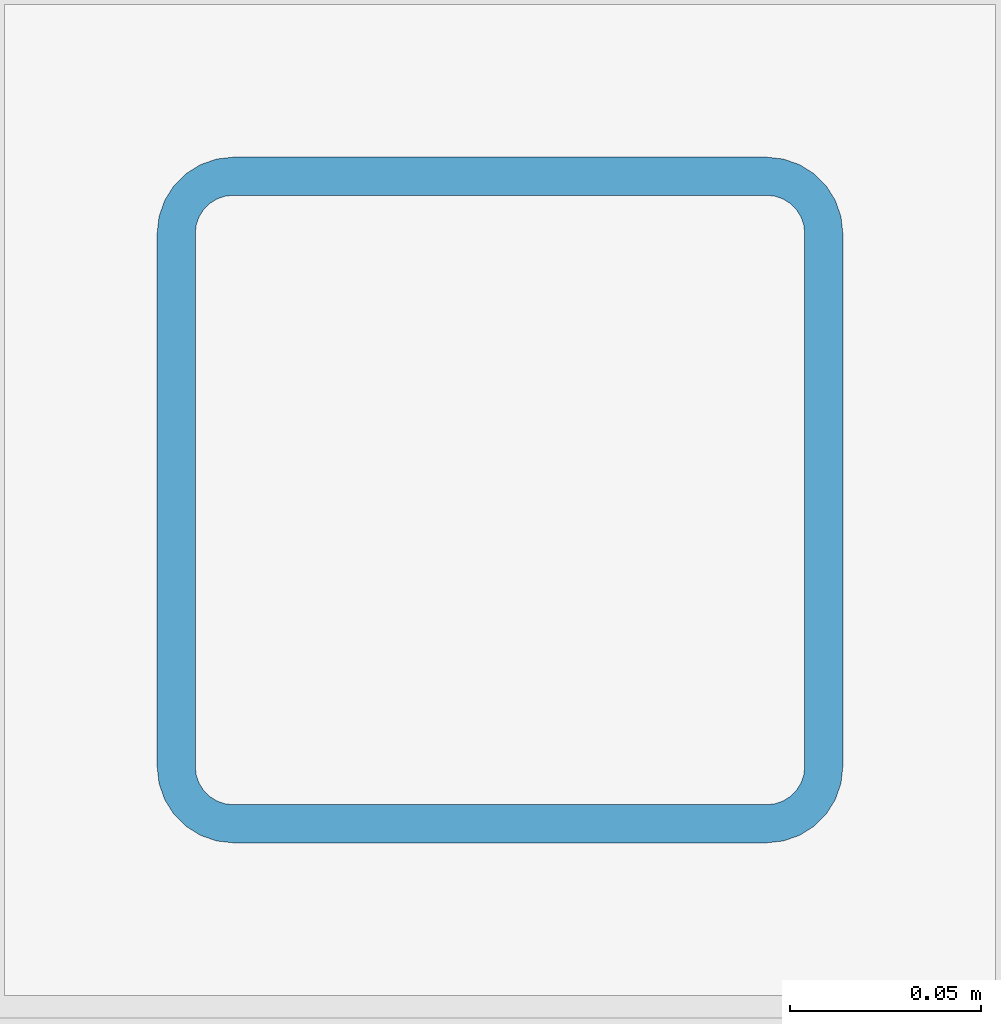
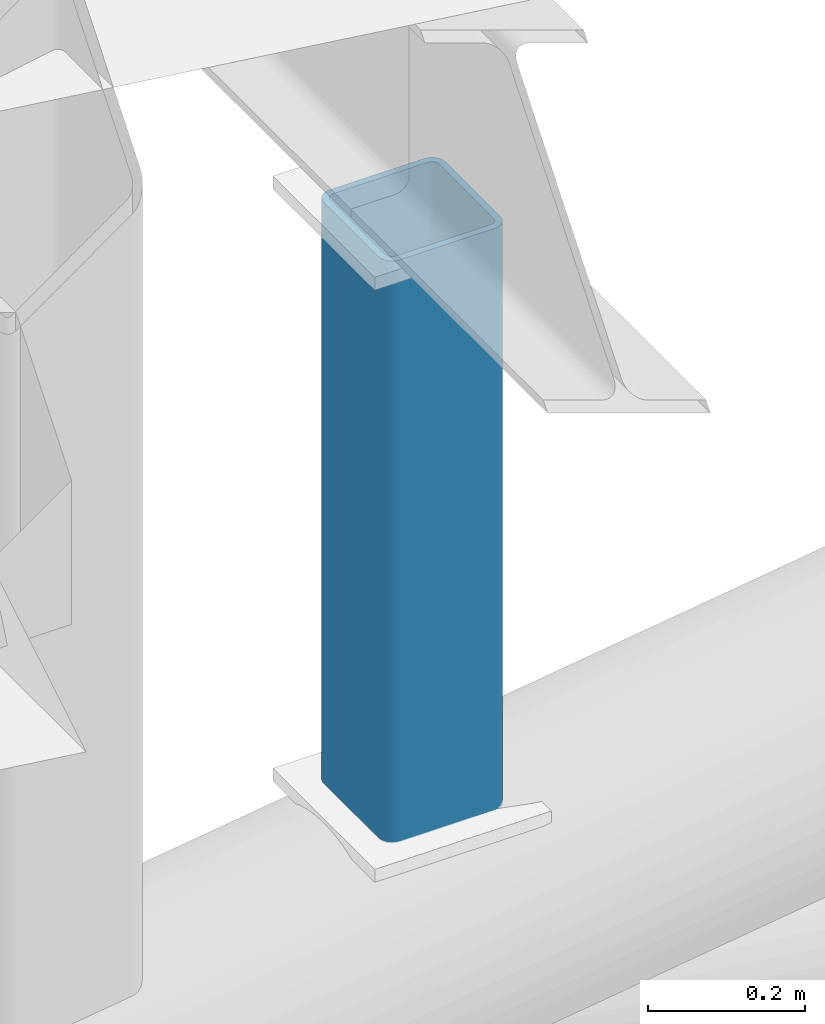
# One storey, part 66 of 117: 1 member.
"""IFC4 building model written with IfcOpenShell, lengths in metres."""

import ifcopenshell
import ifcopenshell.guid

model = None  # the IFC model being written
_history = None  # IfcOwnerHistory: only IFC2X3 demands one
_inside = {}  # id of a spatial element -> (the spatial element, [elements in it])
_under = {}  # id of a project, library or spatial element -> (it, [spatial elements below it])
_declared = {}  # id of a project -> (the project, [libraries it declares])
_typed = {}  # id of a type object -> (the type object, [elements of that type])
_made_of = {}  # id of a material, layer set ... -> (it, [elements and type objects made of it])


def new_model(schema):
    """Start an empty IFC model of exactly this schema.

    Asked for "IFC4X3", IfcOpenShell would pick the latest addendum, in which some entities
    have other attributes; the version numbers below select the first issue.
    IFC2X3 requires an IfcOwnerHistory on every rooted entity: one is made here for all.
    """
    global model, _history
    if schema == "IFC4X3":
        model = ifcopenshell.file(schema_version=(4, 3, 0, 0))
    else:
        model = ifcopenshell.file(schema=schema)
    _inside.clear()
    _under.clear()
    _declared.clear()
    _typed.clear()
    _made_of.clear()
    _history = None
    if model.schema == "IFC2X3":
        org = make("IfcOrganization", Name="unknown")
        user = make(
            "IfcPersonAndOrganization",
            ThePerson=make("IfcPerson", FamilyName="unknown"),
            TheOrganization=org,
        )
        app = make(
            "IfcApplication",
            ApplicationDeveloper=org,
            Version="unknown",
            ApplicationFullName="unknown",
            ApplicationIdentifier="unknown",
        )
        _history = make(
            "IfcOwnerHistory",
            OwningUser=user,
            OwningApplication=app,
            ChangeAction="ADDED",
            CreationDate=0,
        )
    return model


def make(cls, **values):
    """One entity of the class cls with the attributes given. An attribute that is None is left unset."""
    return model.create_entity(
        cls, **{name: value for name, value in values.items() if value is not None}
    )


def rooted(cls, **values):
    """An entity with a GlobalId (a new one), such as an element, a storey or a relation."""
    return make(cls, GlobalId=ifcopenshell.guid.new(), OwnerHistory=_history, **values)


def si_unit(unit_type, name, prefix=None):
    """IfcSIUnit, for example si_unit("LENGTHUNIT", "METRE", prefix="MILLI")."""
    return make("IfcSIUnit", UnitType=unit_type, Prefix=prefix, Name=name)


def assignment(units):
    """IfcUnitAssignment: the units of a project."""
    return None if units is None else make("IfcUnitAssignment", Units=units)


def point(xyz):
    """IfcCartesianPoint."""
    return None if xyz is None else make("IfcCartesianPoint", Coordinates=xyz)


def direction(xyz):
    """IfcDirection."""
    return None if xyz is None else make("IfcDirection", DirectionRatios=xyz)


def frame(location, z_axis=None, x_axis=None):
    """IfcAxis2Placement3D, a coordinate frame: its origin and axes. An axis left out is left unset."""
    return make(
        "IfcAxis2Placement3D",
        Location=point(location),
        Axis=direction(z_axis),
        RefDirection=direction(x_axis),
    )


def frame_2d(location, x_axis=None):
    """IfcAxis2Placement2D, a coordinate frame in the plane: its origin and x axis."""
    return make(
        "IfcAxis2Placement2D", Location=point(location), RefDirection=direction(x_axis)
    )


def origin():
    """The frame at (0, 0, 0) with its axes left unset."""
    return frame((0.0, 0.0, 0.0))


def origin_2d():
    """The frame at (0, 0) in the plane with its x axis left unset."""
    return frame_2d((0.0, 0.0))


def place(relative_to, where):
    """IfcLocalPlacement: puts the frame where relative to a parent placement (None: the world)."""
    return make(
        "IfcLocalPlacement", PlacementRelTo=relative_to, RelativePlacement=where
    )


def context(
    kind, dimensions, precision=None, world=None, true_north=None, identifier=None
):
    """IfcGeometricRepresentationContext, for example the 3D "Model" context."""
    return make(
        "IfcGeometricRepresentationContext",
        ContextIdentifier=identifier,
        ContextType=kind,
        CoordinateSpaceDimension=dimensions,
        Precision=precision,
        WorldCoordinateSystem=world,
        TrueNorth=true_north,
    )


def subcontext(parent, identifier, kind, view, scale=None):
    """IfcGeometricRepresentationSubContext, for example "Body" below "Model"."""
    return make(
        "IfcGeometricRepresentationSubContext",
        ContextIdentifier=identifier,
        ContextType=kind,
        ParentContext=parent,
        TargetScale=scale,
        TargetView=view,
    )


def project(units=None, contexts=None):
    """IfcProject with its units and contexts."""
    return rooted(
        "IfcProject",
        Name="project",
        RepresentationContexts=contexts,
        UnitsInContext=assignment(units),
    )


def spatial(cls, under=None, at=None, **own):
    """A site, building, storey or space (cls), placed at a placement, below another one or the project."""
    s = rooted(cls, ObjectPlacement=at, **own)
    if under is not None:
        _under.setdefault(under.id(), (under, []))[1].append(s)
    return s


def profile(cls, at=None, kind="AREA", **sizes):
    """A parametric profile (cls). Its sizes go by their IFC names, for example OverallWidth=200.0."""
    return make(cls, ProfileType=kind, Position=at, **sizes)


def hollow_rectangle(**sizes):
    """IfcRectangleHollowProfileDef."""
    return profile("IfcRectangleHollowProfileDef", **sizes)


def extrude(swept, where, along, depth):
    """IfcExtrudedAreaSolid: the profile swept, set in the frame where, extruded along a direction by depth."""
    return make(
        "IfcExtrudedAreaSolid",
        SweptArea=swept,
        Position=where,
        ExtrudedDirection=direction(along),
        Depth=depth,
    )


def shape(context_of_items, identifier, shape_type, items):
    """IfcShapeRepresentation: the items that make up one representation, for example the "Body"."""
    return make(
        "IfcShapeRepresentation",
        ContextOfItems=context_of_items,
        RepresentationIdentifier=identifier,
        RepresentationType=shape_type,
        Items=items,
    )


def material(Name=None, Category=None):
    """IfcMaterial."""
    return make("IfcMaterial", Name=Name, Category=Category)


def material_profile(
    of_material, cross_section, Name=None, Category=None, Priority=None
):
    """IfcMaterialProfile: a cross section and its material."""
    return make(
        "IfcMaterialProfile",
        Name=Name,
        Material=of_material,
        Profile=cross_section,
        Priority=Priority,
        Category=Category,
    )


def profile_set(profiles, Name=None, composite=None):
    """IfcMaterialProfileSet."""
    return make(
        "IfcMaterialProfileSet",
        Name=Name,
        MaterialProfiles=profiles,
        CompositeProfile=composite,
    )


def made_of(thing, what):
    """Note that an element or type object is made of a material, layer set ...; save() writes the relation."""
    if what is not None:
        _made_of.setdefault(what.id(), (what, []))[1].append(thing)
    return thing


def type_object(cls, material=None, **own):
    """A type object (cls), such as IfcWallType, which elements share."""
    return made_of(rooted(cls, **own), material)


def element(
    cls,
    number,
    at=None,
    inside=None,
    cuts=None,
    type_object=None,
    material=None,
    context=None,
    identifier="Body",
    shape_type=None,
    held_by="IfcProductDefinitionShape",
    body=None,
    shapes=None,
    **own,
):
    """One element of the class cls, such as IfcWall. Its Tag is "e" and its number.

    at: its placement. inside: the storey or other place that contains it. cuts: it is an
    opening in that element (IfcRelVoidsElement). A single representation is given by context,
    identifier, shape_type and body (its items); several are given by shapes. held_by: the class
    of the entity that holds the representations. save() writes the other relations.
    """
    e = rooted(cls, Tag="e%d" % number, ObjectPlacement=at, **own)
    if body is not None:
        shapes = [shape(context, identifier, shape_type, body)]
    if shapes is not None:
        e.Representation = make(held_by, Representations=shapes)
    if inside is not None:
        _inside.setdefault(inside.id(), (inside, []))[1].append(e)
    if cuts is not None:
        rooted(
            "IfcRelVoidsElement", RelatingBuildingElement=cuts, RelatedOpeningElement=e
        )
    if type_object is not None:
        _typed.setdefault(type_object.id(), (type_object, []))[1].append(e)
    return made_of(e, material)


def aggregate(whole, parts):
    """IfcRelAggregates: a whole, such as a stair, and the parts it consists of."""
    return rooted("IfcRelAggregates", RelatingObject=whole, RelatedObjects=parts)


def save(model, path):
    """Write the relations noted so far, then the file.

    IfcRelAggregates (storeys below a building ...), IfcRelContainedInSpatialStructure (elements
    in a storey), IfcRelDefinesByType, IfcRelAssociatesMaterial and IfcRelDeclares: one each for
    every whole, place, type object, material and project.
    """
    for whole, parts in _under.values():
        aggregate(whole, parts)
    for where, things in _inside.values():
        rooted(
            "IfcRelContainedInSpatialStructure",
            RelatedElements=things,
            RelatingStructure=where,
        )
    for kind, things in _typed.values():
        rooted("IfcRelDefinesByType", RelatedObjects=things, RelatingType=kind)
    for what, things in _made_of.values():
        rooted("IfcRelAssociatesMaterial", RelatedObjects=things, RelatingMaterial=what)
    for by, libraries in _declared.values():
        rooted("IfcRelDeclares", RelatingContext=by, RelatedDefinitions=libraries)
    model.write(path)


model = new_model("IFC4")

# Units and contexts
model_context = context("Model", 3, precision=1e-05, world=origin(), true_north=direction((0.0, 1.0)))
body_context = subcontext(model_context, "Body", "Model", "MODEL_VIEW")
ifc_project = project(units=[si_unit("LENGTHUNIT", "METRE"), si_unit("AREAUNIT", "SQUARE_METRE"), si_unit("VOLUMEUNIT", "CUBIC_METRE"), si_unit("PLANEANGLEUNIT", "RADIAN"), si_unit("MASSUNIT", "GRAM", prefix="KILO")], contexts=[model_context])

# Site, building, storey
site_placement = place(None, origin())
site = spatial("IfcSite", under=ifc_project, at=site_placement, CompositionType="ELEMENT")
building_placement = place(site_placement, origin())
building = spatial("IfcBuilding", under=site, at=building_placement, Name="Merenkruunu Market Hall", CompositionType="ELEMENT")
storey_placement = place(building_placement, frame((0.0, 0.0, 22.800048828125)))
storey = spatial("IfcBuildingStorey", under=building, at=storey_placement, Name="RF", CompositionType="ELEMENT", Elevation=22.800048828125)

# Member
ifc_material = material(Name="Steel S355J2", Category="steel")
ifc_material_profile = material_profile(ifc_material, hollow_rectangle(XDim=0.179931640625, YDim=0.179931640625, WallThickness=0.010009765625, InnerFilletRadius=0.010009765625, OuterFilletRadius=0.02001953125, at=origin_2d()), Name="SHS 180x180x10")
ifc_profile_set = profile_set([ifc_material_profile], Name="Steel S355J2")
member_type = type_object("IfcMemberType", Name="Diagonal Sway Brace BR05", PredefinedType="BRACE", material=ifc_profile_set)
member_placement = place(storey_placement, frame((19.760009765625, 75.60009765625, -2.07080078125), z_axis=(0.0, 0.0, 1.0), x_axis=(1.0, 0.0, 0.0)))
element("IfcMember", 1, at=member_placement, inside=storey, type_object=member_type, Name="TRUSS-AT-6-RISER-W6-1", PredefinedType="BRACE", context=body_context, shape_type="SweptSolid", body=[
    extrude(hollow_rectangle(XDim=0.179931640625, YDim=0.179931640625, WallThickness=0.010009765625, InnerFilletRadius=0.010009765625, OuterFilletRadius=0.02001953125, at=origin_2d()), origin(), (0.0, 0.0, 1.0), 0.90576171875),
])

save(model, "model.ifc")
